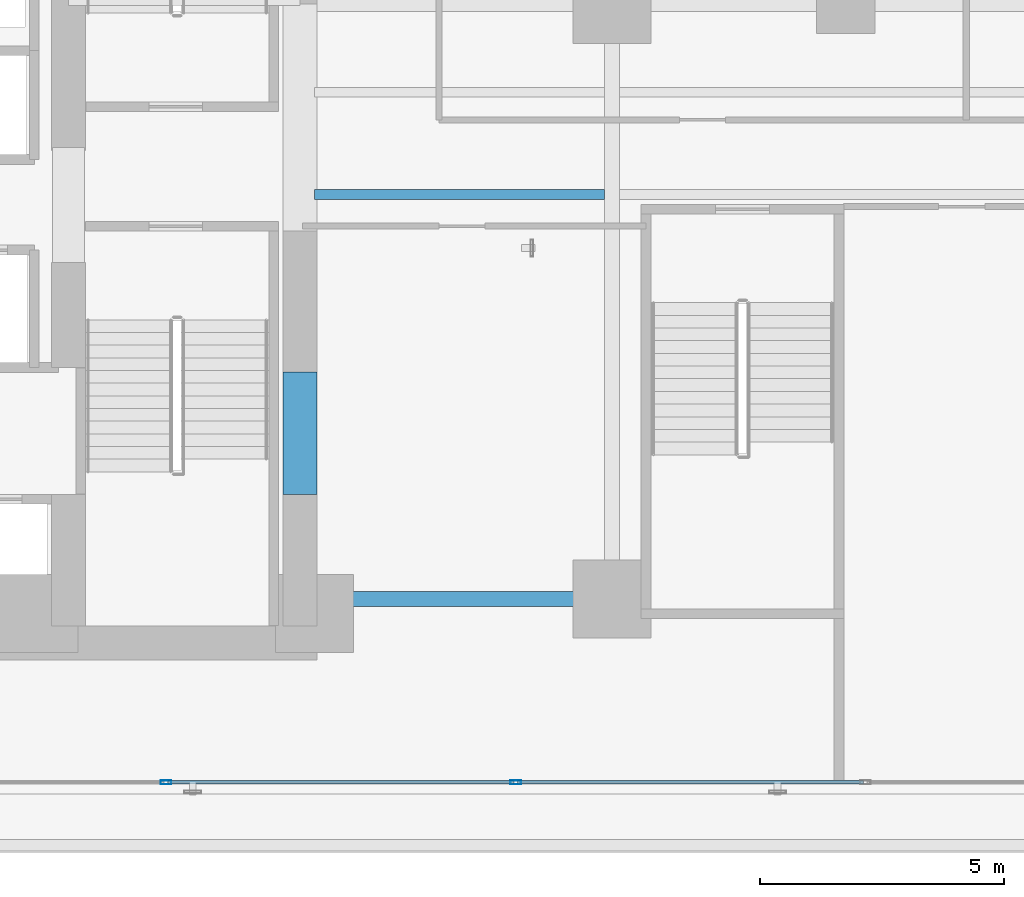
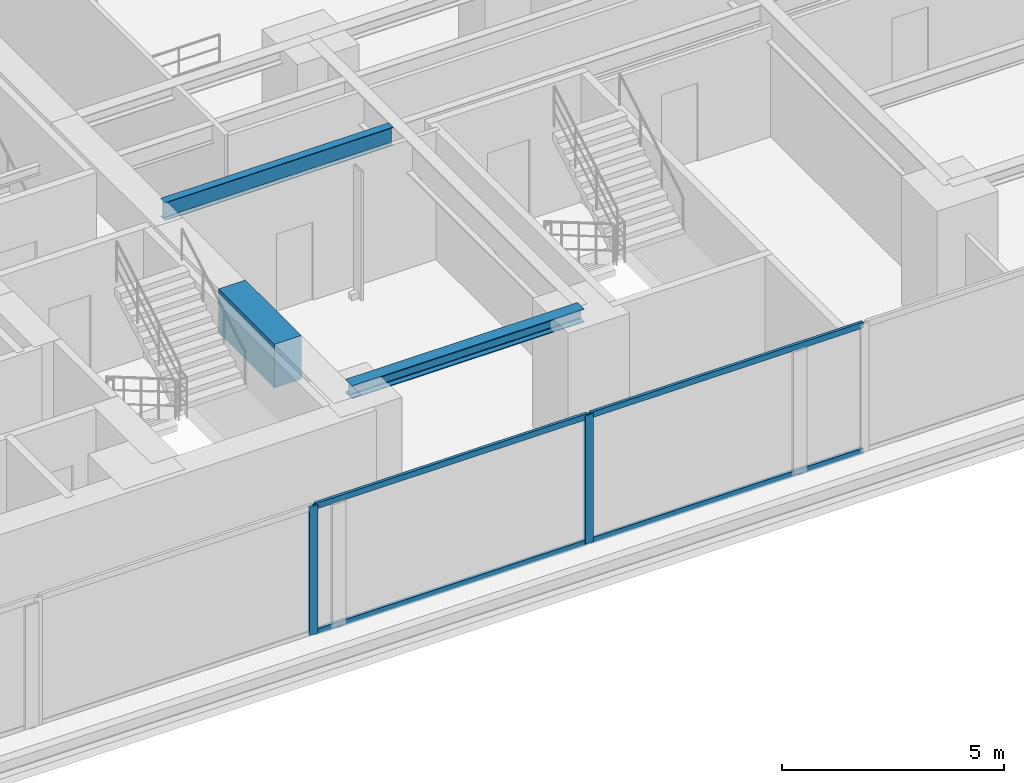
# One storey, part 4 of 29: 6 members, 3 beams, 1 element without a shape of its own.
"""IFC4 building model written with IfcOpenShell, lengths in metres."""

from ifc_helpers import new_model, si_unit, direction, frame, origin, origin_with_axes, origin_2d, place, context, subcontext, project, spatial, rectangle, hollow_rectangle, i_section, extrude, source, transform, mapped, material, layer, layer_set, material_profile, profile_set, type_object, element, aggregate, save


model = new_model("IFC4")

# Units and contexts
model_context = context("Model", 3, precision=1e-05, world=origin(), true_north=direction((0.0, 1.0)))
body_context = subcontext(model_context, "Body", "Model", "MODEL_VIEW")
ifc_project = project(units=[si_unit("LENGTHUNIT", "METRE"), si_unit("AREAUNIT", "SQUARE_METRE"), si_unit("VOLUMEUNIT", "CUBIC_METRE"), si_unit("PLANEANGLEUNIT", "RADIAN"), si_unit("MASSUNIT", "GRAM", prefix="KILO")], contexts=[model_context])

# Site, building, storey
site_placement = place(None, origin())
site = spatial("IfcSite", under=ifc_project, at=site_placement, CompositionType="ELEMENT")
building_placement = place(site_placement, origin())
building = spatial("IfcBuilding", under=site, at=building_placement, Name="Kolvaren Waterfront Exchange", CompositionType="ELEMENT")
storey_placement = place(building_placement, frame((0.0, 0.0, 29.60009765625)))
storey = spatial("IfcBuildingStorey", under=building, at=storey_placement, Name="L07", CompositionType="ELEMENT", Elevation=29.60009765625)

# Beams
ifc_material_1 = material(Name="Steel S355", Category="steel")
ifc_material_profile_1 = material_profile(ifc_material_1, i_section(OverallWidth=0.300048828125, OverallDepth=0.360107421875, WebThickness=0.012451171875, FlangeThickness=0.0224609375, FilletRadius=0.027099609375, at=origin_2d()), Name="HEB360")
ifc_profile_set_1 = profile_set([ifc_material_profile_1], Name="Steel S355")
beam_type_1 = type_object("IfcBeamType", Name="STR-BM-HEB360", PredefinedType="SPANDREL", material=ifc_profile_set_1)
beam_1_placement = place(storey_placement, frame((21.14990234375, 5.199951171875, 3.35986328125), z_axis=(1.0, 0.0, 0.0), x_axis=(0.0, 1.0, 0.0)))
element("IfcBeam", 1, at=beam_1_placement, inside=storey, type_object=beam_type_1, Name="L07 east-arm spandrel S1", PredefinedType="SPANDREL", context=body_context, shape_type="SweptSolid", body=[
    extrude(i_section(OverallWidth=0.300048828125, OverallDepth=0.360107421875, WebThickness=0.012451171875, FlangeThickness=0.0224609375, FilletRadius=0.027099609375, at=origin_2d()), origin(), (0.0, 0.0, 1.0), 6.050048828125),
])
ifc_material_profile_2 = material_profile(ifc_material_1, i_section(OverallWidth=0.199951171875, OverallDepth=0.5, WebThickness=0.01025390625, FlangeThickness=0.01611328125, FilletRadius=0.02099609375, at=origin_2d()), Name="IPE500")
ifc_profile_set_2 = profile_set([ifc_material_profile_2], Name="Steel S355")
beam_type_2 = type_object("IfcBeamType", Name="STR-BM-IPE500", PredefinedType="JOIST", material=ifc_profile_set_2)
beam_2_placement = place(storey_placement, frame((21.10009765625, 13.5, 3.289794921875), z_axis=(1.0, 0.0, 0.0), x_axis=(0.0, 1.0, 0.0)))
element("IfcBeam", 2, at=beam_2_placement, inside=storey, type_object=beam_type_2, Name="L07 east-arm composite joist 1A", PredefinedType="JOIST", context=body_context, shape_type="SweptSolid", body=[
    extrude(i_section(OverallWidth=0.199951171875, OverallDepth=0.5, WebThickness=0.01025390625, FlangeThickness=0.01611328125, FilletRadius=0.02099609375, at=origin_2d()), origin(), (0.0, 0.0, 1.0), 5.947021484375),
])
ifc_material_2 = material(Name="Concrete C70/85", Category="concrete")
ifc_material_profile_3 = material_profile(ifc_material_2, rectangle(XDim=0.699951171875, YDim=1.199951171875, at=origin_2d()), Name="RC-CB-1200x700")
ifc_profile_set_3 = profile_set([ifc_material_profile_3], Name="Concrete C70/85")
beam_type_3 = type_object("IfcBeamType", Name="STR-CB-1200", PredefinedType="SPANDREL", material=ifc_profile_set_3)
beam_3_placement = place(storey_placement, frame((20.800048828125, 7.340087890625, 2.93994140625), z_axis=(0.0, 1.0, 0.0), x_axis=(-1.0, 0.0, 0.0)))
element("IfcBeam", 3, at=beam_3_placement, inside=storey, type_object=beam_type_3, Name="L07 core coupling beam 1", PredefinedType="SPANDREL", context=body_context, shape_type="SweptSolid", body=[
    extrude(rectangle(XDim=0.699951171875, YDim=1.199951171875, at=origin_2d()), origin(), (0.0, 0.0, 1.0), 2.52001953125),
])

# Curtain wall, members
ifc_material_3 = material(Name="Anodised bronze aluminium 6063-T6", Category="aluminium")
ifc_layer = layer(ifc_material_3, 0.219970703125, Name="Anodised bronze aluminium 6063-T6")
ifc_layer_set = layer_set([ifc_layer], Name="Anodised bronze aluminium 6063-T6")
curtain_wall_type = type_object("IfcCurtainWallType", Name="ARC-CW-SYS1", PredefinedType="USERDEFINED", material=ifc_layer_set)
curtain_wall_placement = place(storey_placement, origin())
curtain_wall = element("IfcCurtainWall", 4, at=curtain_wall_placement, inside=storey, type_object=curtain_wall_type, Name="L07 stick curtain wall CW1 (CW-L07-S)", ObjectType="STICK CURTAIN WALL", PredefinedType="USERDEFINED")
ifc_material_4 = material(Name="Anodised aluminium 6063-T6", Category="aluminium")
ifc_material_profile_4 = material_profile(ifc_material_4, hollow_rectangle(XDim=0.080078125, YDim=0.219970703125, WallThickness=0.0048828125, at=origin_2d()), Name="ALU-MUL-220x80x5")
ifc_profile_set_4 = profile_set([ifc_material_profile_4], Name="Anodised aluminium 6063-T6")
member_type_1 = type_object("IfcMemberType", Name="ARC-CWM-220", PredefinedType="MULLION", material=ifc_profile_set_4)
shared_shape_1 = source(origin_with_axes(), body_context, "Body", "SweptSolid", [
    extrude(hollow_rectangle(XDim=0.080078125, YDim=0.219970703125, WallThickness=0.0048828125, at=origin_2d()), origin(), (0.0, 0.0, 1.0), 3.539794921875),
])
member_1_placement = place(storey_placement, frame((18.050048828125, 1.43994140625, 0.0), z_axis=(0.0, 0.0, 1.0), x_axis=(0.0, 1.0, 0.0)))
member_1 = element("IfcMember", 5, at=member_1_placement, type_object=member_type_1, Name="CW1 mullion 3", PredefinedType="MULLION", context=body_context, shape_type="MappedRepresentation", body=[
    mapped(shared_shape_1, transform((0.0, 0.0, 0.0), x_axis=(1.0, 0.0, 0.0), y_axis=(0.0, 1.0, 0.0), z_axis=(0.0, 0.0, 1.0), scale=1.0)),
])
member_2_placement = place(storey_placement, frame((25.22509765625, 1.43994140625, 0.0), z_axis=(0.0, 0.0, 1.0), x_axis=(0.0, 1.0, 0.0)))
member_2 = element("IfcMember", 6, at=member_2_placement, type_object=member_type_1, Name="CW1 mullion 4", PredefinedType="MULLION", context=body_context, shape_type="MappedRepresentation", body=[
    mapped(shared_shape_1, transform((0.0, 0.0, 0.0), x_axis=(1.0, 0.0, 0.0), y_axis=(0.0, 1.0, 0.0), z_axis=(0.0, 0.0, 1.0), scale=1.0)),
])
ifc_material_profile_5 = material_profile(ifc_material_4, hollow_rectangle(XDim=0.074951171875, YDim=0.159912109375, WallThickness=0.00439453125, at=origin_2d()), Name="ALU-TRN-160x75x4.5")
ifc_profile_set_5 = profile_set([ifc_material_profile_5], Name="Anodised aluminium 6063-T6")
member_type_2 = type_object("IfcMemberType", Name="ARC-CWT-160", PredefinedType="USERDEFINED", material=ifc_profile_set_5)
shared_shape_2 = source(origin_with_axes(), body_context, "Body", "SweptSolid", [
    extrude(hollow_rectangle(XDim=0.074951171875, YDim=0.159912109375, WallThickness=0.00439453125, at=origin_2d()), origin(), (0.0, 0.0, 1.0), 7.094970703125),
])
member_3_placement = place(storey_placement, frame((18.090087890625, 1.43994140625, 0.037353515625), z_axis=(1.0, 0.0, 0.0), x_axis=(0.0, 1.0, 0.0)))
member_3 = element("IfcMember", 7, at=member_3_placement, type_object=member_type_2, Name="CW1 transom 3.1", ObjectType="TRANSOM", PredefinedType="USERDEFINED", context=body_context, shape_type="MappedRepresentation", body=[
    mapped(shared_shape_2, transform((0.0, 0.0, 0.0), x_axis=(1.0, 0.0, 0.0), y_axis=(0.0, 1.0, 0.0), z_axis=(0.0, 0.0, 1.0), scale=1.0)),
])
member_4_placement = place(storey_placement, frame((18.090087890625, 1.43994140625, 3.50244140625), z_axis=(1.0, 0.0, 0.0), x_axis=(0.0, 1.0, 0.0)))
member_4 = element("IfcMember", 8, at=member_4_placement, type_object=member_type_2, Name="CW1 transom 3.2", ObjectType="TRANSOM", PredefinedType="USERDEFINED", context=body_context, shape_type="MappedRepresentation", body=[
    mapped(shared_shape_2, transform((0.0, 0.0, 0.0), x_axis=(1.0, 0.0, 0.0), y_axis=(0.0, 1.0, 0.0), z_axis=(0.0, 0.0, 1.0), scale=1.0)),
])
shared_shape_3 = source(origin_with_axes(), body_context, "Body", "SweptSolid", [
    extrude(hollow_rectangle(XDim=0.074951171875, YDim=0.159912109375, WallThickness=0.00439453125, at=origin_2d()), origin(), (0.0, 0.0, 1.0), 7.09521484375),
])
member_5_placement = place(storey_placement, frame((25.264892578125, 1.43994140625, 0.037353515625), z_axis=(1.0, 0.0, 0.0), x_axis=(0.0, 1.0, 0.0)))
member_5 = element("IfcMember", 9, at=member_5_placement, type_object=member_type_2, Name="CW1 transom 4.1", ObjectType="TRANSOM", PredefinedType="USERDEFINED", context=body_context, shape_type="MappedRepresentation", body=[
    mapped(shared_shape_3, transform((0.0, 0.0, 0.0), x_axis=(1.0, 0.0, 0.0), y_axis=(0.0, 1.0, 0.0), z_axis=(0.0, 0.0, 1.0), scale=1.0)),
])
member_6_placement = place(storey_placement, frame((25.264892578125, 1.43994140625, 3.50244140625), z_axis=(1.0, 0.0, 0.0), x_axis=(0.0, 1.0, 0.0)))
member_6 = element("IfcMember", 10, at=member_6_placement, type_object=member_type_2, Name="CW1 transom 4.2", ObjectType="TRANSOM", PredefinedType="USERDEFINED", context=body_context, shape_type="MappedRepresentation", body=[
    mapped(shared_shape_3, transform((0.0, 0.0, 0.0), x_axis=(1.0, 0.0, 0.0), y_axis=(0.0, 1.0, 0.0), z_axis=(0.0, 0.0, 1.0), scale=1.0)),
])
aggregate(curtain_wall, [member_1, member_2, member_3, member_4, member_5, member_6])

save(model, "model.ifc")
